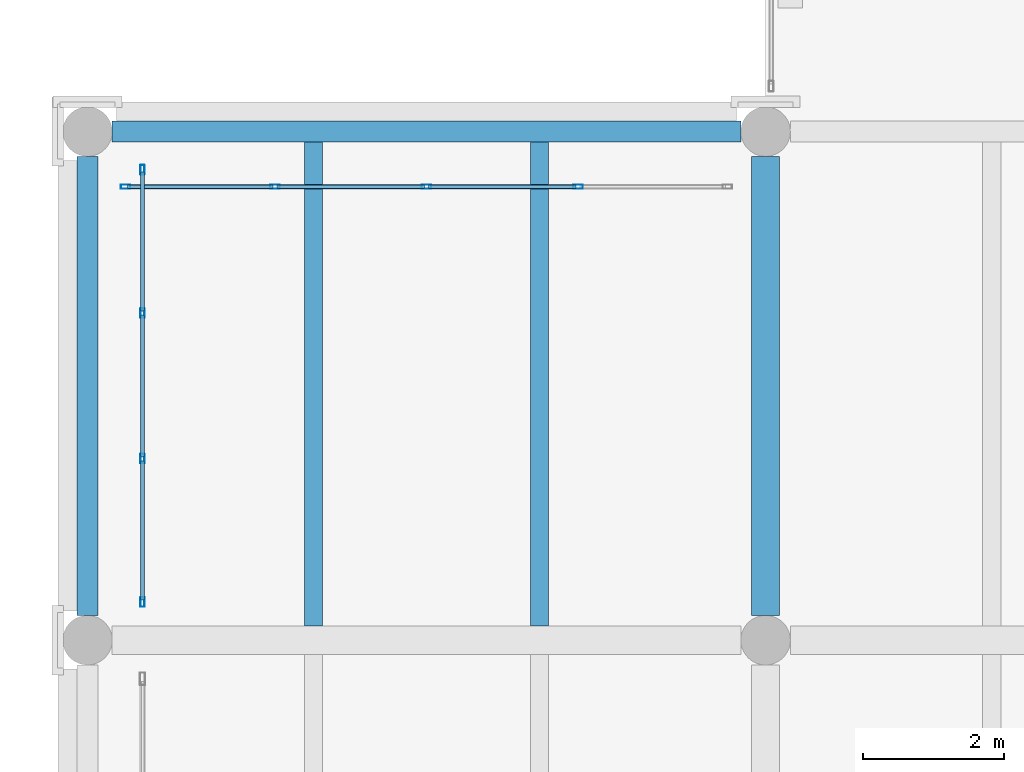
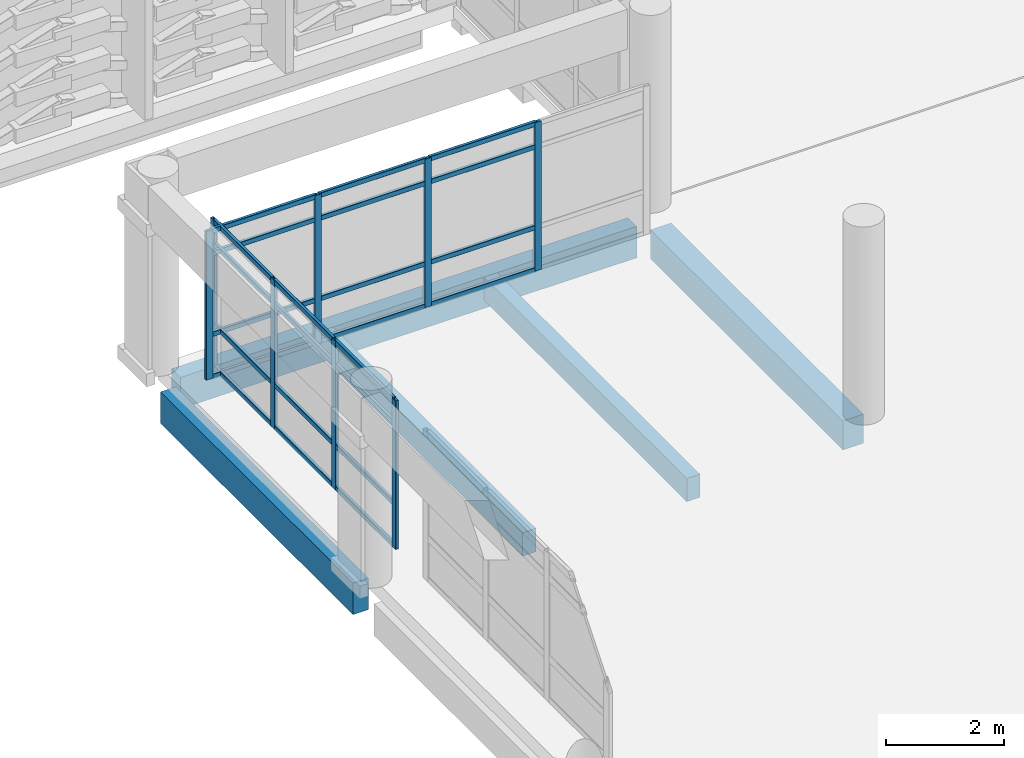
# One storey, part 41 of 180: 32 members, 5 beams, 2 elements without a shape of their own.
"""IFC4 building model written with IfcOpenShell, lengths in metres."""

from ifc_helpers import new_model, si_unit, direction, frame, origin, origin_2d, place, context, subcontext, project, spatial, rectangle, hollow_rectangle, extrude, material, layer, layer_set, material_profile, profile_set, type_object, element, aggregate, save


model = new_model("IFC4")

# Units and contexts
model_context = context("Model", 3, precision=1e-05, world=origin(), true_north=direction((0.0, 1.0)))
body_context = subcontext(model_context, "Body", "Model", "MODEL_VIEW")
ifc_project = project(units=[si_unit("LENGTHUNIT", "METRE"), si_unit("AREAUNIT", "SQUARE_METRE"), si_unit("VOLUMEUNIT", "CUBIC_METRE"), si_unit("PLANEANGLEUNIT", "RADIAN"), si_unit("MASSUNIT", "GRAM", prefix="KILO")], contexts=[model_context])

# Site, building, storey
site_placement = place(None, origin())
site = spatial("IfcSite", under=ifc_project, at=site_placement, CompositionType="ELEMENT")
building_placement = place(site_placement, origin())
building = spatial("IfcBuilding", under=site, at=building_placement, Name="Asteropetra Specialist Clinic", CompositionType="ELEMENT")
storey_placement = place(building_placement, frame((0.0, 0.0, 4.419921875)))
storey = spatial("IfcBuildingStorey", under=building, at=storey_placement, Name="L01", CompositionType="ELEMENT", Elevation=4.419921875)

# Beam
ifc_material_1 = material(Name="Concrete C35/45", Category="concrete")
ifc_material_profile_1 = material_profile(ifc_material_1, rectangle(XDim=0.39990234375, YDim=0.60009765625, at=origin_2d()), Name="RCB 400x600")
ifc_profile_set_1 = profile_set([ifc_material_profile_1], Name="Concrete C35/45")
beam_type_1 = type_object("IfcBeamType", Name="BM-RC400x600", PredefinedType="BEAM", material=ifc_profile_set_1)
beam_1_placement = place(storey_placement, frame((9.60009765625, 55.550048828125, -0.599853515625), z_axis=(0.0, 1.0, 0.0), x_axis=(-1.0, 0.0, 0.0)))
element("IfcBeam", 1, at=beam_1_placement, inside=storey, type_object=beam_type_1, Name="Beam BBM08-0381", PredefinedType="BEAM", context=body_context, shape_type="SweptSolid", body=[
    extrude(rectangle(XDim=0.39990234375, YDim=0.60009765625, at=origin_2d()), origin(), (0.0, 0.0, 1.0), 6.5),
])

# Curtain wall, members
ifc_material_2 = material(Name="Aluminium and low-E glass", Category="aluminium")
ifc_layer_1 = layer(ifc_material_2, 0.135009765625)
ifc_layer_set_1 = layer_set([ifc_layer_1], Name="Aluminium and low-E glass")
curtain_wall_type_1 = type_object("IfcCurtainWallType", Name="CW-SYS-09", PredefinedType="USERDEFINED", material=ifc_layer_set_1)
curtain_wall_1_placement = place(storey_placement, origin())
curtain_wall_1 = element("IfcCurtainWall", 2, at=curtain_wall_1_placement, inside=storey, type_object=curtain_wall_type_1, Name="Curtain Wall CW-155", ObjectType="STICK GLAZED COLONNADE", PredefinedType="USERDEFINED")
ifc_material_3 = material(Name="Aluminium 6063-T6", Category="aluminium")
ifc_material_profile_2 = material_profile(ifc_material_3, hollow_rectangle(XDim=0.06005859375, YDim=0.135009765625, WallThickness=0.00341796875, InnerFilletRadius=0.00341796875, OuterFilletRadius=0.007080078125, at=origin_2d()), Name="MUL 135x60x3.5")
ifc_profile_set_2 = profile_set([ifc_material_profile_2], Name="Aluminium 6063-T6")
member_type_1 = type_object("IfcMemberType", Name="CWM-135x60", PredefinedType="MULLION", material=ifc_profile_set_2)
member_1_placement = place(storey_placement, frame((6.945068359375, 61.6201171875, 0.0), z_axis=(0.0, 0.0, 1.0), x_axis=(0.0, -1.0, 0.0)))
member_1 = element("IfcMember", 3, at=member_1_placement, type_object=member_type_1, Name="CW-155 mullion 2", PredefinedType="MULLION", context=body_context, shape_type="SweptSolid", body=[
    extrude(hollow_rectangle(XDim=0.06005859375, YDim=0.135009765625, WallThickness=0.00341796875, InnerFilletRadius=0.00341796875, OuterFilletRadius=0.007080078125, at=origin_2d()), origin(), (0.0, 0.0, 1.0), 3.06005859375),
])
member_2_placement = place(storey_placement, frame((4.800048828125, 61.6201171875, 0.0), z_axis=(0.0, 0.0, 1.0), x_axis=(0.0, -1.0, 0.0)))
member_2 = element("IfcMember", 4, at=member_2_placement, type_object=member_type_1, Name="CW-155 mullion 3", PredefinedType="MULLION", context=body_context, shape_type="SweptSolid", body=[
    extrude(hollow_rectangle(XDim=0.06005859375, YDim=0.135009765625, WallThickness=0.00341796875, InnerFilletRadius=0.00341796875, OuterFilletRadius=0.007080078125, at=origin_2d()), origin(), (0.0, 0.0, 1.0), 3.06005859375),
])
member_3_placement = place(storey_placement, frame((2.655029296875, 61.6201171875, 0.0), z_axis=(0.0, 0.0, 1.0), x_axis=(0.0, -1.0, 0.0)))
member_3 = element("IfcMember", 5, at=member_3_placement, type_object=member_type_1, Name="CW-155 mullion 4", PredefinedType="MULLION", context=body_context, shape_type="SweptSolid", body=[
    extrude(hollow_rectangle(XDim=0.06005859375, YDim=0.135009765625, WallThickness=0.00341796875, InnerFilletRadius=0.00341796875, OuterFilletRadius=0.007080078125, at=origin_2d()), origin(), (0.0, 0.0, 1.0), 3.06005859375),
])
member_4_placement = place(storey_placement, frame((0.5400390625, 61.6201171875, 0.0), z_axis=(0.0, 0.0, 1.0), x_axis=(0.0, -1.0, 0.0)))
member_4 = element("IfcMember", 6, at=member_4_placement, type_object=member_type_1, Name="CW-155 mullion 5", PredefinedType="MULLION", context=body_context, shape_type="SweptSolid", body=[
    extrude(hollow_rectangle(XDim=0.06005859375, YDim=0.135009765625, WallThickness=0.00341796875, InnerFilletRadius=0.00341796875, OuterFilletRadius=0.007080078125, at=origin_2d()), origin(), (0.0, 0.0, 1.0), 3.06005859375),
])

ifc_material_4 = material(Name="Aluminium and low-E glass", Category="aluminium")
ifc_layer_2 = layer(ifc_material_4, 0.179931640625)
ifc_layer_set_2 = layer_set([ifc_layer_2], Name="Aluminium and low-E glass")
curtain_wall_type_2 = type_object("IfcCurtainWallType", Name="CW-SYS-01", PredefinedType="USERDEFINED", material=ifc_layer_set_2)
curtain_wall_2_placement = place(storey_placement, origin())
curtain_wall_2 = element("IfcCurtainWall", 7, at=curtain_wall_2_placement, inside=storey, type_object=curtain_wall_type_2, Name="Curtain Wall CW-164", ObjectType="UNITISED CURTAIN WALL", PredefinedType="USERDEFINED")
member_5_placement = place(storey_placement, frame((0.780029296875, 61.860107421875, 0.0), z_axis=(0.0, 0.0, 1.0), x_axis=(1.0, 0.0, 0.0)))
member_5 = element("IfcMember", 8, at=member_5_placement, type_object=member_type_1, Name="CW-164 mullion 1", PredefinedType="MULLION", context=body_context, shape_type="SweptSolid", body=[
    extrude(hollow_rectangle(XDim=0.06005859375, YDim=0.135009765625, WallThickness=0.00341796875, InnerFilletRadius=0.00341796875, OuterFilletRadius=0.007080078125, at=origin_2d()), origin(), (0.0, 0.0, 1.0), 3.06005859375),
])
member_6_placement = place(storey_placement, frame((0.780029296875, 59.830078125, 0.0), z_axis=(0.0, 0.0, 1.0), x_axis=(1.0, 0.0, 0.0)))
member_6 = element("IfcMember", 9, at=member_6_placement, type_object=member_type_1, Name="CW-164 mullion 2", PredefinedType="MULLION", context=body_context, shape_type="SweptSolid", body=[
    extrude(hollow_rectangle(XDim=0.06005859375, YDim=0.135009765625, WallThickness=0.00341796875, InnerFilletRadius=0.00341796875, OuterFilletRadius=0.007080078125, at=origin_2d()), origin(), (0.0, 0.0, 1.0), 3.06005859375),
])
member_7_placement = place(storey_placement, frame((0.780029296875, 57.77001953125, 0.0), z_axis=(0.0, 0.0, 1.0), x_axis=(1.0, 0.0, 0.0)))
member_7 = element("IfcMember", 10, at=member_7_placement, type_object=member_type_1, Name="CW-164 mullion 3", PredefinedType="MULLION", context=body_context, shape_type="SweptSolid", body=[
    extrude(hollow_rectangle(XDim=0.06005859375, YDim=0.135009765625, WallThickness=0.00341796875, InnerFilletRadius=0.00341796875, OuterFilletRadius=0.007080078125, at=origin_2d()), origin(), (0.0, 0.0, 1.0), 3.06005859375),
])
member_8_placement = place(storey_placement, frame((0.780029296875, 55.739990234375, 0.0), z_axis=(0.0, 0.0, 1.0), x_axis=(1.0, 0.0, 0.0)))
member_8 = element("IfcMember", 11, at=member_8_placement, type_object=member_type_1, Name="CW-164 mullion 4", PredefinedType="MULLION", context=body_context, shape_type="SweptSolid", body=[
    extrude(hollow_rectangle(XDim=0.06005859375, YDim=0.135009765625, WallThickness=0.00341796875, InnerFilletRadius=0.00341796875, OuterFilletRadius=0.007080078125, at=origin_2d()), origin(), (0.0, 0.0, 1.0), 3.06005859375),
])

# Member
ifc_material_5 = material(Name="Aluminium 6063-T6", Category="aluminium")
ifc_material_profile_3 = material_profile(ifc_material_5, hollow_rectangle(XDim=0.06005859375, YDim=0.10009765625, WallThickness=0.00341796875, InnerFilletRadius=0.00341796875, OuterFilletRadius=0.007080078125, at=origin_2d()), Name="TRN 100x60x3.5")
ifc_profile_set_3 = profile_set([ifc_material_profile_3], Name="Aluminium 6063-T6")
member_type_2 = type_object("IfcMemberType", Name="CWT-100x60", PredefinedType="USERDEFINED", material=ifc_profile_set_3)
member_9_placement = place(storey_placement, frame((6.9150390625, 61.6201171875, 0.030029296875), z_axis=(-1.0, 0.0, 0.0), x_axis=(0.0, -1.0, 0.0)))
member_9 = element("IfcMember", 12, at=member_9_placement, type_object=member_type_2, Name="CW-155 transom 2.1", ObjectType="TRANSOM", PredefinedType="USERDEFINED", context=body_context, shape_type="SweptSolid", body=[
    extrude(hollow_rectangle(XDim=0.06005859375, YDim=0.10009765625, WallThickness=0.00341796875, InnerFilletRadius=0.00341796875, OuterFilletRadius=0.007080078125, at=origin_2d()), origin(), (0.0, 0.0, 1.0), 2.0849609375),
])

member_10_placement = place(storey_placement, frame((6.9150390625, 61.6201171875, 0.900146484375), z_axis=(-1.0, 0.0, 0.0), x_axis=(0.0, -1.0, 0.0)))
member_10 = element("IfcMember", 13, at=member_10_placement, type_object=member_type_2, Name="CW-155 transom 2.2", ObjectType="TRANSOM", PredefinedType="USERDEFINED", context=body_context, shape_type="SweptSolid", body=[
    extrude(hollow_rectangle(XDim=0.06005859375, YDim=0.10009765625, WallThickness=0.00341796875, InnerFilletRadius=0.00341796875, OuterFilletRadius=0.007080078125, at=origin_2d()), origin(), (0.0, 0.0, 1.0), 2.0849609375),
])

member_11_placement = place(storey_placement, frame((6.9150390625, 61.6201171875, 2.56005859375), z_axis=(-1.0, 0.0, 0.0), x_axis=(0.0, -1.0, 0.0)))
member_11 = element("IfcMember", 14, at=member_11_placement, type_object=member_type_2, Name="CW-155 transom 2.3", ObjectType="TRANSOM", PredefinedType="USERDEFINED", context=body_context, shape_type="SweptSolid", body=[
    extrude(hollow_rectangle(XDim=0.06005859375, YDim=0.10009765625, WallThickness=0.00341796875, InnerFilletRadius=0.00341796875, OuterFilletRadius=0.007080078125, at=origin_2d()), origin(), (0.0, 0.0, 1.0), 2.0849609375),
])

member_12_placement = place(storey_placement, frame((6.9150390625, 61.6201171875, 3.030029296875), z_axis=(-1.0, 0.0, 0.0), x_axis=(0.0, -1.0, 0.0)))
member_12 = element("IfcMember", 15, at=member_12_placement, type_object=member_type_2, Name="CW-155 transom 2.4", ObjectType="TRANSOM", PredefinedType="USERDEFINED", context=body_context, shape_type="SweptSolid", body=[
    extrude(hollow_rectangle(XDim=0.06005859375, YDim=0.10009765625, WallThickness=0.00341796875, InnerFilletRadius=0.00341796875, OuterFilletRadius=0.007080078125, at=origin_2d()), origin(), (0.0, 0.0, 1.0), 2.0849609375),
])

member_13_placement = place(storey_placement, frame((4.77001953125, 61.6201171875, 0.030029296875), z_axis=(-1.0, 0.0, 0.0), x_axis=(0.0, -1.0, 0.0)))
member_13 = element("IfcMember", 16, at=member_13_placement, type_object=member_type_2, Name="CW-155 transom 3.1", ObjectType="TRANSOM", PredefinedType="USERDEFINED", context=body_context, shape_type="SweptSolid", body=[
    extrude(hollow_rectangle(XDim=0.06005859375, YDim=0.10009765625, WallThickness=0.00341796875, InnerFilletRadius=0.00341796875, OuterFilletRadius=0.007080078125, at=origin_2d()), origin(), (0.0, 0.0, 1.0), 2.0849609375),
])

member_14_placement = place(storey_placement, frame((4.77001953125, 61.6201171875, 0.900146484375), z_axis=(-1.0, 0.0, 0.0), x_axis=(0.0, -1.0, 0.0)))
member_14 = element("IfcMember", 17, at=member_14_placement, type_object=member_type_2, Name="CW-155 transom 3.2", ObjectType="TRANSOM", PredefinedType="USERDEFINED", context=body_context, shape_type="SweptSolid", body=[
    extrude(hollow_rectangle(XDim=0.06005859375, YDim=0.10009765625, WallThickness=0.00341796875, InnerFilletRadius=0.00341796875, OuterFilletRadius=0.007080078125, at=origin_2d()), origin(), (0.0, 0.0, 1.0), 2.0849609375),
])

member_15_placement = place(storey_placement, frame((4.77001953125, 61.6201171875, 2.56005859375), z_axis=(-1.0, 0.0, 0.0), x_axis=(0.0, -1.0, 0.0)))
member_15 = element("IfcMember", 18, at=member_15_placement, type_object=member_type_2, Name="CW-155 transom 3.3", ObjectType="TRANSOM", PredefinedType="USERDEFINED", context=body_context, shape_type="SweptSolid", body=[
    extrude(hollow_rectangle(XDim=0.06005859375, YDim=0.10009765625, WallThickness=0.00341796875, InnerFilletRadius=0.00341796875, OuterFilletRadius=0.007080078125, at=origin_2d()), origin(), (0.0, 0.0, 1.0), 2.0849609375),
])

member_16_placement = place(storey_placement, frame((4.77001953125, 61.6201171875, 3.030029296875), z_axis=(-1.0, 0.0, 0.0), x_axis=(0.0, -1.0, 0.0)))
member_16 = element("IfcMember", 19, at=member_16_placement, type_object=member_type_2, Name="CW-155 transom 3.4", ObjectType="TRANSOM", PredefinedType="USERDEFINED", context=body_context, shape_type="SweptSolid", body=[
    extrude(hollow_rectangle(XDim=0.06005859375, YDim=0.10009765625, WallThickness=0.00341796875, InnerFilletRadius=0.00341796875, OuterFilletRadius=0.007080078125, at=origin_2d()), origin(), (0.0, 0.0, 1.0), 2.0849609375),
])

member_17_placement = place(storey_placement, frame((2.625, 61.6201171875, 0.030029296875), z_axis=(-1.0, 0.0, 0.0), x_axis=(0.0, -1.0, 0.0)))
member_17 = element("IfcMember", 20, at=member_17_placement, type_object=member_type_2, Name="CW-155 transom 4.1", ObjectType="TRANSOM", PredefinedType="USERDEFINED", context=body_context, shape_type="SweptSolid", body=[
    extrude(hollow_rectangle(XDim=0.06005859375, YDim=0.10009765625, WallThickness=0.00341796875, InnerFilletRadius=0.00341796875, OuterFilletRadius=0.007080078125, at=origin_2d()), origin(), (0.0, 0.0, 1.0), 2.054931640625),
])

member_18_placement = place(storey_placement, frame((2.625, 61.6201171875, 0.900146484375), z_axis=(-1.0, 0.0, 0.0), x_axis=(0.0, -1.0, 0.0)))
member_18 = element("IfcMember", 21, at=member_18_placement, type_object=member_type_2, Name="CW-155 transom 4.2", ObjectType="TRANSOM", PredefinedType="USERDEFINED", context=body_context, shape_type="SweptSolid", body=[
    extrude(hollow_rectangle(XDim=0.06005859375, YDim=0.10009765625, WallThickness=0.00341796875, InnerFilletRadius=0.00341796875, OuterFilletRadius=0.007080078125, at=origin_2d()), origin(), (0.0, 0.0, 1.0), 2.054931640625),
])

member_19_placement = place(storey_placement, frame((2.625, 61.6201171875, 2.56005859375), z_axis=(-1.0, 0.0, 0.0), x_axis=(0.0, -1.0, 0.0)))
member_19 = element("IfcMember", 22, at=member_19_placement, type_object=member_type_2, Name="CW-155 transom 4.3", ObjectType="TRANSOM", PredefinedType="USERDEFINED", context=body_context, shape_type="SweptSolid", body=[
    extrude(hollow_rectangle(XDim=0.06005859375, YDim=0.10009765625, WallThickness=0.00341796875, InnerFilletRadius=0.00341796875, OuterFilletRadius=0.007080078125, at=origin_2d()), origin(), (0.0, 0.0, 1.0), 2.054931640625),
])

member_20_placement = place(storey_placement, frame((2.625, 61.6201171875, 3.030029296875), z_axis=(-1.0, 0.0, 0.0), x_axis=(0.0, -1.0, 0.0)))
member_20 = element("IfcMember", 23, at=member_20_placement, type_object=member_type_2, Name="CW-155 transom 4.4", ObjectType="TRANSOM", PredefinedType="USERDEFINED", context=body_context, shape_type="SweptSolid", body=[
    extrude(hollow_rectangle(XDim=0.06005859375, YDim=0.10009765625, WallThickness=0.00341796875, InnerFilletRadius=0.00341796875, OuterFilletRadius=0.007080078125, at=origin_2d()), origin(), (0.0, 0.0, 1.0), 2.054931640625),
])

aggregate(curtain_wall_1, [member_1, member_2, member_3, member_4, member_9, member_10, member_11, member_12, member_13, member_14, member_15, member_16, member_17, member_18, member_19, member_20])

member_21_placement = place(storey_placement, frame((0.780029296875, 61.830078125, 0.030029296875), z_axis=(0.0, -1.0, 0.0), x_axis=(1.0, 0.0, 0.0)))
member_21 = element("IfcMember", 24, at=member_21_placement, type_object=member_type_2, Name="CW-164 transom 1.1", ObjectType="TRANSOM", PredefinedType="USERDEFINED", context=body_context, shape_type="SweptSolid", body=[
    extrude(hollow_rectangle(XDim=0.06005859375, YDim=0.10009765625, WallThickness=0.00341796875, InnerFilletRadius=0.00341796875, OuterFilletRadius=0.007080078125, at=origin_2d()), origin(), (0.0, 0.0, 1.0), 1.969970703125),
])

member_22_placement = place(storey_placement, frame((0.780029296875, 61.830078125, 0.900146484375), z_axis=(0.0, -1.0, 0.0), x_axis=(1.0, 0.0, 0.0)))
member_22 = element("IfcMember", 25, at=member_22_placement, type_object=member_type_2, Name="CW-164 transom 1.2", ObjectType="TRANSOM", PredefinedType="USERDEFINED", context=body_context, shape_type="SweptSolid", body=[
    extrude(hollow_rectangle(XDim=0.06005859375, YDim=0.10009765625, WallThickness=0.00341796875, InnerFilletRadius=0.00341796875, OuterFilletRadius=0.007080078125, at=origin_2d()), origin(), (0.0, 0.0, 1.0), 1.969970703125),
])

member_23_placement = place(storey_placement, frame((0.780029296875, 61.830078125, 2.56005859375), z_axis=(0.0, -1.0, 0.0), x_axis=(1.0, 0.0, 0.0)))
member_23 = element("IfcMember", 26, at=member_23_placement, type_object=member_type_2, Name="CW-164 transom 1.3", ObjectType="TRANSOM", PredefinedType="USERDEFINED", context=body_context, shape_type="SweptSolid", body=[
    extrude(hollow_rectangle(XDim=0.06005859375, YDim=0.10009765625, WallThickness=0.00341796875, InnerFilletRadius=0.00341796875, OuterFilletRadius=0.007080078125, at=origin_2d()), origin(), (0.0, 0.0, 1.0), 1.969970703125),
])

member_24_placement = place(storey_placement, frame((0.780029296875, 61.830078125, 3.030029296875), z_axis=(0.0, -1.0, 0.0), x_axis=(1.0, 0.0, 0.0)))
member_24 = element("IfcMember", 27, at=member_24_placement, type_object=member_type_2, Name="CW-164 transom 1.4", ObjectType="TRANSOM", PredefinedType="USERDEFINED", context=body_context, shape_type="SweptSolid", body=[
    extrude(hollow_rectangle(XDim=0.06005859375, YDim=0.10009765625, WallThickness=0.00341796875, InnerFilletRadius=0.00341796875, OuterFilletRadius=0.007080078125, at=origin_2d()), origin(), (0.0, 0.0, 1.0), 1.969970703125),
])

member_25_placement = place(storey_placement, frame((0.780029296875, 59.800048828125, 0.030029296875), z_axis=(0.0, -1.0, 0.0), x_axis=(1.0, 0.0, 0.0)))
member_25 = element("IfcMember", 28, at=member_25_placement, type_object=member_type_2, Name="CW-164 transom 2.1", ObjectType="TRANSOM", PredefinedType="USERDEFINED", context=body_context, shape_type="SweptSolid", body=[
    extrude(hollow_rectangle(XDim=0.06005859375, YDim=0.10009765625, WallThickness=0.00341796875, InnerFilletRadius=0.00341796875, OuterFilletRadius=0.007080078125, at=origin_2d()), origin(), (0.0, 0.0, 1.0), 2.0),
])

member_26_placement = place(storey_placement, frame((0.780029296875, 59.800048828125, 0.900146484375), z_axis=(0.0, -1.0, 0.0), x_axis=(1.0, 0.0, 0.0)))
member_26 = element("IfcMember", 29, at=member_26_placement, type_object=member_type_2, Name="CW-164 transom 2.2", ObjectType="TRANSOM", PredefinedType="USERDEFINED", context=body_context, shape_type="SweptSolid", body=[
    extrude(hollow_rectangle(XDim=0.06005859375, YDim=0.10009765625, WallThickness=0.00341796875, InnerFilletRadius=0.00341796875, OuterFilletRadius=0.007080078125, at=origin_2d()), origin(), (0.0, 0.0, 1.0), 2.0),
])

member_27_placement = place(storey_placement, frame((0.780029296875, 59.800048828125, 2.56005859375), z_axis=(0.0, -1.0, 0.0), x_axis=(1.0, 0.0, 0.0)))
member_27 = element("IfcMember", 30, at=member_27_placement, type_object=member_type_2, Name="CW-164 transom 2.3", ObjectType="TRANSOM", PredefinedType="USERDEFINED", context=body_context, shape_type="SweptSolid", body=[
    extrude(hollow_rectangle(XDim=0.06005859375, YDim=0.10009765625, WallThickness=0.00341796875, InnerFilletRadius=0.00341796875, OuterFilletRadius=0.007080078125, at=origin_2d()), origin(), (0.0, 0.0, 1.0), 2.0),
])

member_28_placement = place(storey_placement, frame((0.780029296875, 59.800048828125, 3.030029296875), z_axis=(0.0, -1.0, 0.0), x_axis=(1.0, 0.0, 0.0)))
member_28 = element("IfcMember", 31, at=member_28_placement, type_object=member_type_2, Name="CW-164 transom 2.4", ObjectType="TRANSOM", PredefinedType="USERDEFINED", context=body_context, shape_type="SweptSolid", body=[
    extrude(hollow_rectangle(XDim=0.06005859375, YDim=0.10009765625, WallThickness=0.00341796875, InnerFilletRadius=0.00341796875, OuterFilletRadius=0.007080078125, at=origin_2d()), origin(), (0.0, 0.0, 1.0), 2.0),
])

member_29_placement = place(storey_placement, frame((0.780029296875, 57.739990234375, 0.030029296875), z_axis=(0.0, -1.0, 0.0), x_axis=(1.0, 0.0, 0.0)))
member_29 = element("IfcMember", 32, at=member_29_placement, type_object=member_type_2, Name="CW-164 transom 3.1", ObjectType="TRANSOM", PredefinedType="USERDEFINED", context=body_context, shape_type="SweptSolid", body=[
    extrude(hollow_rectangle(XDim=0.06005859375, YDim=0.10009765625, WallThickness=0.00341796875, InnerFilletRadius=0.00341796875, OuterFilletRadius=0.007080078125, at=origin_2d()), origin(), (0.0, 0.0, 1.0), 1.969970703125),
])

member_30_placement = place(storey_placement, frame((0.780029296875, 57.739990234375, 0.900146484375), z_axis=(0.0, -1.0, 0.0), x_axis=(1.0, 0.0, 0.0)))
member_30 = element("IfcMember", 33, at=member_30_placement, type_object=member_type_2, Name="CW-164 transom 3.2", ObjectType="TRANSOM", PredefinedType="USERDEFINED", context=body_context, shape_type="SweptSolid", body=[
    extrude(hollow_rectangle(XDim=0.06005859375, YDim=0.10009765625, WallThickness=0.00341796875, InnerFilletRadius=0.00341796875, OuterFilletRadius=0.007080078125, at=origin_2d()), origin(), (0.0, 0.0, 1.0), 1.969970703125),
])

member_31_placement = place(storey_placement, frame((0.780029296875, 57.739990234375, 2.56005859375), z_axis=(0.0, -1.0, 0.0), x_axis=(1.0, 0.0, 0.0)))
member_31 = element("IfcMember", 34, at=member_31_placement, type_object=member_type_2, Name="CW-164 transom 3.3", ObjectType="TRANSOM", PredefinedType="USERDEFINED", context=body_context, shape_type="SweptSolid", body=[
    extrude(hollow_rectangle(XDim=0.06005859375, YDim=0.10009765625, WallThickness=0.00341796875, InnerFilletRadius=0.00341796875, OuterFilletRadius=0.007080078125, at=origin_2d()), origin(), (0.0, 0.0, 1.0), 1.969970703125),
])

member_32_placement = place(storey_placement, frame((0.780029296875, 57.739990234375, 3.030029296875), z_axis=(0.0, -1.0, 0.0), x_axis=(1.0, 0.0, 0.0)))
member_32 = element("IfcMember", 35, at=member_32_placement, type_object=member_type_2, Name="CW-164 transom 3.4", ObjectType="TRANSOM", PredefinedType="USERDEFINED", context=body_context, shape_type="SweptSolid", body=[
    extrude(hollow_rectangle(XDim=0.06005859375, YDim=0.10009765625, WallThickness=0.00341796875, InnerFilletRadius=0.00341796875, OuterFilletRadius=0.007080078125, at=origin_2d()), origin(), (0.0, 0.0, 1.0), 1.969970703125),
])

aggregate(curtain_wall_2, [member_5, member_6, member_7, member_8, member_21, member_22, member_23, member_24, member_25, member_26, member_27, member_28, member_29, member_30, member_31, member_32])

# Beams
ifc_material_6 = material(Name="Concrete C35/45", Category="concrete")
ifc_material_profile_4 = material_profile(ifc_material_6, rectangle(XDim=0.260009765625, YDim=0.47998046875, at=origin_2d()), Name="RCJ 260x480")
ifc_profile_set_4 = profile_set([ifc_material_profile_4], Name="Concrete C35/45")
beam_type_2 = type_object("IfcBeamType", Name="JST-RC260x480", PredefinedType="JOIST", material=ifc_profile_set_4)
for number, where, z_axis, x_axis, name in (
    (36, (3.199951171875, 55.39990234375, -0.5400390625), (0.0, 1.0, 0.0), (-1.0, 0.0, 0.0), "Joist JJST02-0386"),
    (37, (6.39990234375, 55.39990234375, -0.5400390625), (0.0, 1.0, 0.0), (-1.0, 0.0, 0.0), "Joist JJST02-0387"),
):
    element("IfcBeam", number, at=place(storey_placement, frame(where, z_axis=z_axis, x_axis=x_axis)), inside=storey, type_object=beam_type_2, Name=name, PredefinedType="JOIST", context=body_context, shape_type="SweptSolid", body=[
        extrude(rectangle(XDim=0.260009765625, YDim=0.47998046875, at=origin_2d()), origin(), (0.0, 0.0, 1.0), 6.85009765625),
    ])
ifc_material_7 = material(Name="Concrete C35/45", Category="concrete")
ifc_material_profile_5 = material_profile(ifc_material_7, rectangle(XDim=0.300048828125, YDim=0.64990234375, at=origin_2d()), Name="RCS 300x650")
ifc_profile_set_5 = profile_set([ifc_material_profile_5], Name="Concrete C35/45")
beam_type_3 = type_object("IfcBeamType", Name="SPN-RC300x650", PredefinedType="SPANDREL", material=ifc_profile_set_5)
beam_2_placement = place(storey_placement, frame((0.35009765625, 62.39990234375, -0.625), z_axis=(1.0, 0.0, 0.0), x_axis=(0.0, 1.0, 0.0)))
element("IfcBeam", 38, at=beam_2_placement, inside=storey, type_object=beam_type_3, Name="Beam BSPN03-0329", PredefinedType="SPANDREL", context=body_context, shape_type="SweptSolid", body=[
    extrude(rectangle(XDim=0.300048828125, YDim=0.64990234375, at=origin_2d()), origin(), (0.0, 0.0, 1.0), 8.89990234375),
])
beam_3_placement = place(storey_placement, frame((0.0, 55.550048828125, -0.625), z_axis=(0.0, 1.0, 0.0), x_axis=(-1.0, 0.0, 0.0)))
element("IfcBeam", 39, at=beam_3_placement, inside=storey, type_object=beam_type_3, Name="Beam BSPN03-0380", PredefinedType="SPANDREL", context=body_context, shape_type="SweptSolid", body=[
    extrude(rectangle(XDim=0.300048828125, YDim=0.64990234375, at=origin_2d()), origin(), (0.0, 0.0, 1.0), 6.5),
])

save(model, "model.ifc")
